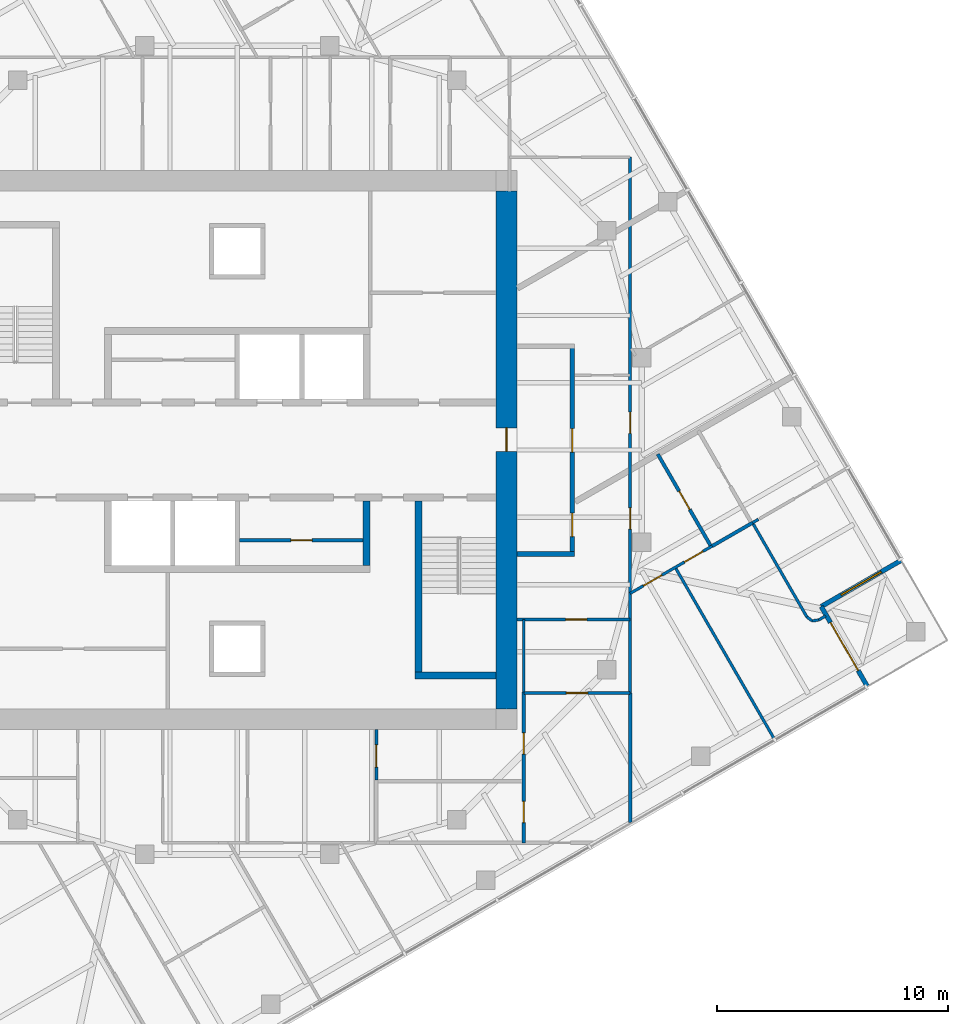
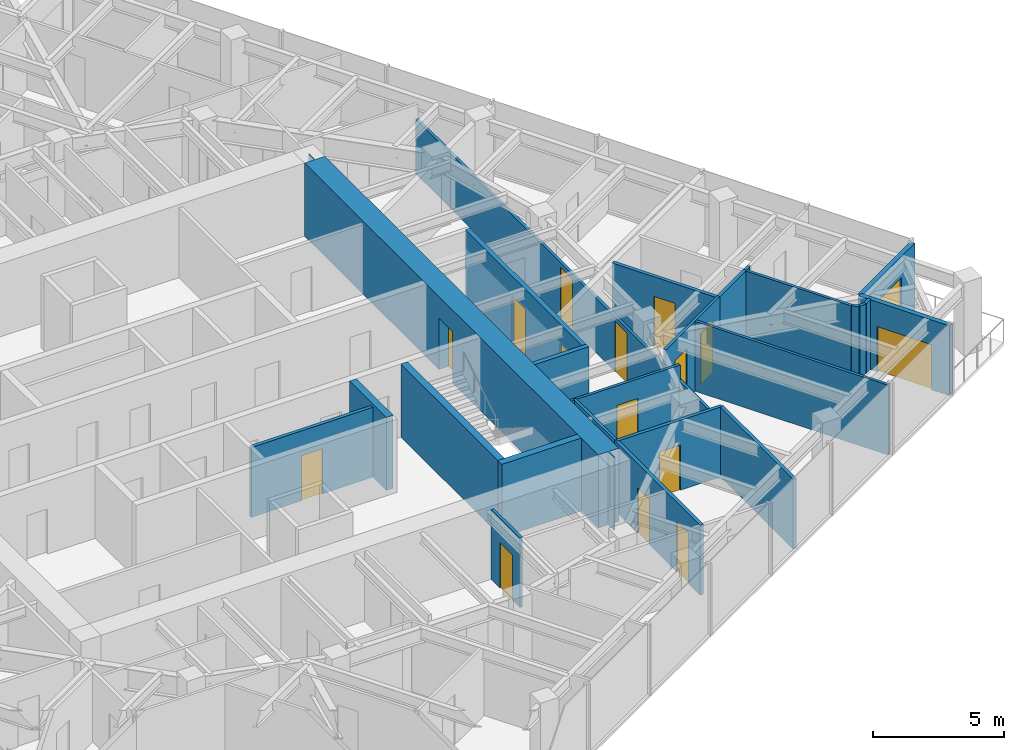
# One storey, part 9 of 13: 25 walls, 15 doors, 1 window, 16 openings.
"""IFC4 building model written with IfcOpenShell, lengths in metres."""

from ifc_helpers import new_model, si_unit, direction, frame, frame_2d, origin, place, context, subcontext, project, spatial, polyline, rectangle, outline, extrude, material, layer, layer_set, type_object, element, fill, save


model = new_model("IFC4")

# Units and contexts
model_context = context("Model", 3, precision=1e-05, world=origin(), true_north=direction((0.0, 1.0)))
body_context = subcontext(model_context, "Body", "Model", "MODEL_VIEW")
ifc_project = project(units=[si_unit("LENGTHUNIT", "METRE"), si_unit("AREAUNIT", "SQUARE_METRE"), si_unit("VOLUMEUNIT", "CUBIC_METRE"), si_unit("PLANEANGLEUNIT", "RADIAN"), si_unit("MASSUNIT", "GRAM", prefix="KILO")], contexts=[model_context])

# Site, building, storey
site_placement = place(None, origin())
site = spatial("IfcSite", under=ifc_project, at=site_placement, CompositionType="ELEMENT")
building_placement = place(site_placement, origin())
building = spatial("IfcBuilding", under=site, at=building_placement, Name="Torsade Residences", CompositionType="ELEMENT")
storey_placement = place(building_placement, frame((0.0, 0.0, 215.0)))
storey = spatial("IfcBuildingStorey", under=building, at=storey_placement, Name="L59", CompositionType="ELEMENT", Elevation=215.0)

# Walls
ifc_material_1 = material(Name="Concrete 80 MPa", Category="concrete")
ifc_layer_1 = layer(ifc_material_1, 0.300048828125)
ifc_layer_set_1 = layer_set([ifc_layer_1], Name="Concrete 80 MPa")
wall_type_1 = type_object("IfcWallType", Name="CORE INTERNAL WALL 300", PredefinedType="SHEAR", material=ifc_layer_set_1)
wall_1_placement = place(storey_placement, frame((45.60009765625, 27.800048828125, 0.0), z_axis=(0.0, 0.0, 1.0), x_axis=(0.0, -1.0, 0.0)))
element("IfcWall", 1, at=wall_1_placement, inside=storey, type_object=wall_type_1, Name="Core wall DS0 L59", PredefinedType="SHEAR", context=body_context, shape_type="SweptSolid", body=[
    extrude(rectangle(XDim=2.800048828125, YDim=0.300048828125, at=frame_2d((1.39990234375, 0.0))), origin(), (0.0, 0.0, 1.0), 3.39990234375),
])
wall_2_placement = place(storey_placement, frame((47.85009765625, 27.800048828125, 0.0), z_axis=(0.0, 0.0, 1.0), x_axis=(0.0, -1.0, 0.0)))
element("IfcWall", 2, at=wall_2_placement, inside=storey, type_object=wall_type_1, Name="Core wall ST2W L59", PredefinedType="SHEAR", context=body_context, shape_type="SweptSolid", body=[
    extrude(rectangle(XDim=7.699951171875, YDim=0.300048828125, at=frame_2d((3.85009765625, 0.0))), origin(), (0.0, 0.0, 1.0), 3.39990234375),
])
wall_3_placement = place(storey_placement, frame((51.199951171875, 20.25, 0.0), z_axis=(0.0, 0.0, 1.0), x_axis=(-1.0, 0.0, 0.0)))
element("IfcWall", 3, at=wall_3_placement, inside=storey, type_object=wall_type_1, Name="Core wall ST2S L59", PredefinedType="SHEAR", context=body_context, shape_type="SweptSolid", body=[
    extrude(rectangle(XDim=3.5, YDim=0.300048828125, at=frame_2d((1.75, 0.0))), origin(), (0.0, 0.0, 1.0), 3.39990234375),
])

# Wall, opening, door
ifc_material_2 = material(Name="Concrete 80 MPa", Category="concrete")
ifc_layer_2 = layer(ifc_material_2, 0.89990234375)
ifc_layer_set_2 = layer_set([ifc_layer_2], Name="Concrete 80 MPa")
wall_type_2 = type_object("IfcWallType", Name="CORE WALL 900", PredefinedType="SHEAR", material=ifc_layer_set_2)
wall_4_placement = place(storey_placement, frame((51.64990234375, 18.800048828125, 0.0), z_axis=(0.0, 0.0, 1.0), x_axis=(0.0, 1.0, 0.0)))
wall_4 = element("IfcWall", 4, at=wall_4_placement, inside=storey, type_object=wall_type_2, Name="Core wall E L59", PredefinedType="SHEAR", context=body_context, shape_type="SweptSolid", body=[
    extrude(outline(polyline([(0.0, -0.449951171875), (22.39990234375, -0.449951171875), (22.39990234375, -0.02490234375), (22.849853515625, -0.02490234375), (22.849853515625, 0.02490234375), (22.39990234375, 0.02490234375), (22.39990234375, 0.449951171875), (0.0, 0.449951171875), (0.0, 0.02490234375), (-0.449951171875, 0.02490234375), (-0.449951171875, -0.02490234375), (0.0, -0.02490234375), (0.0, -0.449951171875)])), origin(), (0.0, 0.0, 1.0), 3.39990234375),
])
opening_1_placement = place(wall_4_placement, frame((11.139892578125, 0.0, 0.0)))
opening_1 = element("IfcOpeningElement", 5, at=opening_1_placement, cuts=wall_4, Name="Opening D04", PredefinedType="OPENING", context=body_context, shape_type="SweptSolid", body=[
    extrude(rectangle(XDim=1.02001953125, YDim=2.39990234375, at=frame_2d((0.510009765625, 1.199951171875))), frame((0.0, 0.4599609375, 0.0), z_axis=(0.0, -1.0, 0.0), x_axis=(1.0, 0.0, 0.0)), (0.0, 0.0, 1.0), 0.919921875),
])
ifc_material_3 = material(Name="Steel-framed fire door", Category="steel")
door_type_1 = type_object("IfcDoorType", Name="LOBBY SMOKE DOOR 1020x2400", OperationType="NOTDEFINED", PredefinedType="DOOR", material=ifc_material_3)
door_1_placement = place(opening_1_placement, origin())
door_1 = element("IfcDoor", 6, at=door_1_placement, inside=storey, type_object=door_type_1, Name="Lift lobby door E L59", OperationType="SINGLE_SWING_LEFT", OverallHeight=2.39990234375, OverallWidth=1.02001953125, PredefinedType="DOOR", context=body_context, shape_type="SweptSolid", body=[
    extrude(rectangle(XDim=1.02001953125, YDim=2.39990234375, at=frame_2d((0.510009765625, 1.199951171875))), frame((0.0, 0.02490234375, 0.0), z_axis=(0.0, -1.0, 0.0), x_axis=(1.0, 0.0, 0.0)), (0.0, 0.0, 1.0), 0.050048828125),
])
fill(opening_1, door_1)

# Wall, openings, doors
ifc_material_4 = material(Name="Plasterboard on steel stud", Category="steel")
ifc_layer_3 = layer(ifc_material_4, 0.199951171875)
ifc_layer_set_3 = layer_set([ifc_layer_3], Name="Plasterboard on steel stud")
wall_type_3 = type_object("IfcWallType", Name="CORRIDOR WALL 200", PredefinedType="PARTITIONING", material=ifc_layer_set_3)
wall_5_placement = place(storey_placement, frame((54.5, 25.5, 0.0), z_axis=(0.0, 0.0, 1.0), x_axis=(0.0, 1.0, 0.0)))
wall_5 = element("IfcWall", 7, at=wall_5_placement, inside=storey, type_object=wall_type_3, Name="Corridor wall L59", PredefinedType="PARTITIONING", context=body_context, shape_type="SweptSolid", body=[
    extrude(rectangle(XDim=9.0, YDim=0.199951171875, at=frame_2d((4.5, 0.0))), origin(), (0.0, 0.0, 1.0), 3.25),
])
opening_2_placement = place(wall_5_placement, frame((4.405517578125, 0.0, 0.0)))
opening_2 = element("IfcOpeningElement", 8, at=opening_2_placement, cuts=wall_5, Name="Opening D01", PredefinedType="OPENING", context=body_context, shape_type="SweptSolid", body=[
    extrude(rectangle(XDim=1.02001953125, YDim=2.340087890625, at=frame_2d((0.510009765625, 1.169921875))), frame((0.0, 0.10986328125, 0.0), z_axis=(0.0, -1.0, 0.0), x_axis=(1.0, 0.0, 0.0)), (0.0, 0.0, 1.0), 0.219970703125),
])
opening_3_placement = place(wall_5_placement, frame((0.750732421875, 0.0, 0.0)))
opening_3 = element("IfcOpeningElement", 9, at=opening_3_placement, cuts=wall_5, Name="Opening D01", PredefinedType="OPENING", context=body_context, shape_type="SweptSolid", body=[
    extrude(rectangle(XDim=1.02001953125, YDim=2.340087890625, at=frame_2d((0.510009765625, 1.169921875))), frame((0.0, 0.10986328125, 0.0), z_axis=(0.0, -1.0, 0.0), x_axis=(1.0, 0.0, 0.0)), (0.0, 0.0, 1.0), 0.219970703125),
])
ifc_material_5 = material(Name="Solid-core timber fire door", Category="wood")
door_type_2 = type_object("IfcDoorType", Name="APARTMENT ENTRY DOOR 1020x2340", OperationType="NOTDEFINED", PredefinedType="DOOR", material=ifc_material_5)
door_2_placement = place(opening_2_placement, origin())
door_2 = element("IfcDoor", 10, at=door_2_placement, inside=storey, type_object=door_type_2, Name="Door Residential corridor to Kitchen and dining", OperationType="SINGLE_SWING_LEFT", OverallHeight=2.340087890625, OverallWidth=1.02001953125, PredefinedType="DOOR", context=body_context, shape_type="SweptSolid", body=[
    extrude(rectangle(XDim=1.02001953125, YDim=2.340087890625, at=frame_2d((0.510009765625, 1.169921875))), frame((0.0, 0.02490234375, 0.0), z_axis=(0.0, -1.0, 0.0), x_axis=(1.0, 0.0, 0.0)), (0.0, 0.0, 1.0), 0.050048828125),
])
fill(opening_2, door_2)
door_3_placement = place(opening_3_placement, origin())
door_3 = element("IfcDoor", 11, at=door_3_placement, inside=storey, type_object=door_type_2, Name="Door Residential corridor to Kitchen and dining", OperationType="SINGLE_SWING_LEFT", OverallHeight=2.340087890625, OverallWidth=1.02001953125, PredefinedType="DOOR", context=body_context, shape_type="SweptSolid", body=[
    extrude(rectangle(XDim=1.02001953125, YDim=2.340087890625, at=frame_2d((0.510009765625, 1.169921875))), frame((0.0, 0.02490234375, 0.0), z_axis=(0.0, -1.0, 0.0), x_axis=(1.0, 0.0, 0.0)), (0.0, 0.0, 1.0), 0.050048828125),
])
fill(opening_3, door_3)

# Wall
wall_6_placement = place(storey_placement, frame((52.10009765625, 25.5, 0.0), z_axis=(0.0, 0.0, 1.0), x_axis=(1.0, 0.0, 0.0)))
element("IfcWall", 12, at=wall_6_placement, inside=storey, type_object=wall_type_3, Name="Corridor wall L59", PredefinedType="PARTITIONING", context=body_context, shape_type="SweptSolid", body=[
    extrude(rectangle(XDim=2.5, YDim=0.199951171875, at=frame_2d((1.25, 0.0))), origin(), (0.0, 0.0, 1.0), 3.25),
])

# Wall, opening, door
ifc_material_6 = material(Name="Plasterboard on steel stud", Category="steel")
ifc_layer_4 = layer(ifc_material_6, 0.1201171875)
ifc_layer_set_4 = layer_set([ifc_layer_4], Name="Plasterboard on steel stud")
wall_type_4 = type_object("IfcWallType", Name="PARTITION 120", PredefinedType="PARTITIONING", material=ifc_layer_set_4)
wall_7_placement = place(storey_placement, frame((57.0, 22.66650390625, 0.0), z_axis=(0.0, 0.0, 1.0), x_axis=(-1.0, 0.0, 0.0)))
wall_7 = element("IfcWall", 13, at=wall_7_placement, inside=storey, type_object=wall_type_4, Name="Partition L59", PredefinedType="PARTITIONING", context=body_context, shape_type="SweptSolid", body=[
    extrude(rectangle(XDim=4.89990234375, YDim=0.1201171875, at=frame_2d((2.449951171875, 0.0))), origin(), (0.0, 0.0, 1.0), 3.25),
])
opening_4_placement = place(wall_7_placement, frame((1.865966796875, 0.0, 0.0)))
opening_4 = element("IfcOpeningElement", 14, at=opening_4_placement, cuts=wall_7, Name="Opening D02", PredefinedType="OPENING", context=body_context, shape_type="SweptSolid", body=[
    extrude(rectangle(XDim=0.919921875, YDim=2.340087890625, at=frame_2d((0.4599609375, 1.169921875))), frame((0.0, 0.070068359375, 0.0), z_axis=(0.0, -1.0, 0.0), x_axis=(1.0, 0.0, 0.0)), (0.0, 0.0, 1.0), 0.14013671875),
])
ifc_material_7 = material(Name="Hollow-core timber door", Category="wood")
door_type_3 = type_object("IfcDoorType", Name="INTERNAL DOOR 920x2340", OperationType="NOTDEFINED", PredefinedType="DOOR", material=ifc_material_7)
door_4_placement = place(opening_4_placement, origin())
door_4 = element("IfcDoor", 15, at=door_4_placement, inside=storey, type_object=door_type_3, Name="Door Kitchen and dining to Walk-in robe", OperationType="SINGLE_SWING_RIGHT", OverallHeight=2.340087890625, OverallWidth=0.919921875, PredefinedType="DOOR", context=body_context, shape_type="SweptSolid", body=[
    extrude(rectangle(XDim=0.919921875, YDim=2.340087890625, at=frame_2d((0.4599609375, 1.169921875))), frame((0.0, 0.02490234375, 0.0), z_axis=(0.0, -1.0, 0.0), x_axis=(1.0, 0.0, 0.0)), (0.0, 0.0, 1.0), 0.050048828125),
])
fill(opening_4, door_4)

# Wall, openings, doors
wall_8_placement = place(storey_placement, frame((57.0, 42.67578125, 0.0), z_axis=(0.0, 0.0, 1.0), x_axis=(0.0, -1.0, 0.0)))
wall_8 = element("IfcWall", 16, at=wall_8_placement, inside=storey, type_object=wall_type_4, Name="Partition L59", PredefinedType="PARTITIONING", context=body_context, shape_type="SweptSolid", body=[
    extrude(rectangle(XDim=23.189697265625, YDim=0.1201171875, at=frame_2d((11.5947265625, 0.0))), origin(), (0.0, 0.0, 1.0), 2.550048828125),
])
opening_5_placement = place(wall_8_placement, frame((11.0302734375, 0.0, 0.0)))
opening_5 = element("IfcOpeningElement", 17, at=opening_5_placement, cuts=wall_8, Name="Opening D02", PredefinedType="OPENING", context=body_context, shape_type="SweptSolid", body=[
    extrude(rectangle(XDim=0.919921875, YDim=2.340087890625, at=frame_2d((0.4599609375, 1.169921875))), frame((0.0, 0.070068359375, 0.0), z_axis=(0.0, -1.0, 0.0), x_axis=(1.0, 0.0, 0.0)), (0.0, 0.0, 1.0), 0.14013671875),
])
opening_6_placement = place(wall_8_placement, frame((15.180908203125, 0.0, 0.0)))
opening_6 = element("IfcOpeningElement", 18, at=opening_6_placement, cuts=wall_8, Name="Opening D02", PredefinedType="OPENING", context=body_context, shape_type="SweptSolid", body=[
    extrude(rectangle(XDim=0.919921875, YDim=2.340087890625, at=frame_2d((0.4599609375, 1.169921875))), frame((0.0, 0.070068359375, 0.0), z_axis=(0.0, -1.0, 0.0), x_axis=(1.0, 0.0, 0.0)), (0.0, 0.0, 1.0), 0.14013671875),
])
door_5_placement = place(opening_5_placement, origin())
door_5 = element("IfcDoor", 19, at=door_5_placement, inside=storey, type_object=door_type_3, Name="Door Kitchen and dining to Living room", OperationType="SINGLE_SWING_RIGHT", OverallHeight=2.340087890625, OverallWidth=0.919921875, PredefinedType="DOOR", context=body_context, shape_type="SweptSolid", body=[
    extrude(rectangle(XDim=0.919921875, YDim=2.340087890625, at=frame_2d((0.4599609375, 1.169921875))), frame((0.0, 0.02490234375, 0.0), z_axis=(0.0, -1.0, 0.0), x_axis=(1.0, 0.0, 0.0)), (0.0, 0.0, 1.0), 0.050048828125),
])
fill(opening_5, door_5)
door_6_placement = place(opening_6_placement, origin())
door_6 = element("IfcDoor", 20, at=door_6_placement, inside=storey, type_object=door_type_3, Name="Door Kitchen and dining to Walk-in robe 3", OperationType="SINGLE_SWING_RIGHT", OverallHeight=2.340087890625, OverallWidth=0.919921875, PredefinedType="DOOR", context=body_context, shape_type="SweptSolid", body=[
    extrude(rectangle(XDim=0.919921875, YDim=2.340087890625, at=frame_2d((0.4599609375, 1.169921875))), frame((0.0, 0.02490234375, 0.0), z_axis=(0.0, -1.0, 0.0), x_axis=(1.0, 0.0, 0.0)), (0.0, 0.0, 1.0), 0.050048828125),
])
fill(opening_6, door_6)

# Wall, opening, door
wall_9_placement = place(storey_placement, frame((46.0205078125, 17.89990234375, 0.0), z_axis=(0.0, 0.0, 1.0), x_axis=(0.0, -1.0, 0.0)))
wall_9 = element("IfcWall", 21, at=wall_9_placement, inside=storey, type_object=wall_type_4, Name="Partition L59", PredefinedType="PARTITIONING", context=body_context, shape_type="SweptSolid", body=[
    extrude(rectangle(XDim=2.189697265625, YDim=0.1201171875, at=frame_2d((1.0947265625, 0.0))), origin(), (0.0, 0.0, 1.0), 3.25),
])
opening_7_placement = place(wall_9_placement, frame((0.664794921875, 0.0, 0.0)))
opening_7 = element("IfcOpeningElement", 22, at=opening_7_placement, cuts=wall_9, Name="Opening D05", PredefinedType="OPENING", context=body_context, shape_type="SweptSolid", body=[
    extrude(rectangle(XDim=0.9599609375, YDim=2.10009765625, at=frame_2d((0.47998046875, 1.050048828125))), frame((0.0, 0.070068359375, 0.0), z_axis=(0.0, -1.0, 0.0), x_axis=(1.0, 0.0, 0.0)), (0.0, 0.0, 1.0), 0.14013671875),
])
ifc_material_8 = material(Name="Hollow-core timber door in a steel cavity frame", Category="steel")
door_type_4 = type_object("IfcDoorType", Name="BATHROOM CAVITY SLIDING DOOR 960", OperationType="SLIDING_TO_LEFT", PredefinedType="DOOR", material=ifc_material_8)
door_7_placement = place(opening_7_placement, origin())
door_7 = element("IfcDoor", 23, at=door_7_placement, inside=storey, type_object=door_type_4, Name="Door Study to Laundry", OperationType="SLIDING_TO_LEFT", OverallHeight=2.10009765625, OverallWidth=0.9599609375, PredefinedType="DOOR", context=body_context, shape_type="SweptSolid", body=[
    extrude(rectangle(XDim=0.9599609375, YDim=2.10009765625, at=frame_2d((0.47998046875, 1.050048828125))), frame((0.0, 0.02490234375, 0.0), z_axis=(0.0, -1.0, 0.0), x_axis=(1.0, 0.0, 0.0)), (0.0, 0.0, 1.0), 0.050048828125),
])
fill(opening_7, door_7)

# Walls
wall_10_placement = place(storey_placement, frame((52.398193359375, 22.66650390625, 0.0), z_axis=(0.0, 0.0, 1.0), x_axis=(0.0, -1.0, 0.0)))
element("IfcWall", 24, at=wall_10_placement, inside=storey, type_object=wall_type_4, Name="Partition L59", PredefinedType="PARTITIONING", context=body_context, shape_type="SweptSolid", body=[
    extrude(rectangle(XDim=3.130615234375, YDim=0.1201171875, at=frame_2d((1.5654296875, 0.0))), origin(), (0.0, 0.0, 1.0), 3.25),
])
wall_11_placement = place(storey_placement, frame((63.24609375, 17.486572265625, 0.0), z_axis=(0.0, 0.0, 1.0), x_axis=(-0.49999898161, 0.866025991751, 0.0)))
element("IfcWall", 25, at=wall_11_placement, inside=storey, type_object=wall_type_4, Name="Partition L59", PredefinedType="PARTITIONING", context=body_context, shape_type="SweptSolid", body=[
    extrude(rectangle(XDim=8.5849609375, YDim=0.1201171875, at=frame_2d((4.29248046875, 0.0))), origin(), (0.0, 0.0, 1.0), 3.25),
])

# Wall, openings, doors
wall_12_placement = place(storey_placement, frame((57.0, 23.79345703125, 0.0), z_axis=(0.0, 0.0, 1.0), x_axis=(0.866007146345, 0.50003162148, 0.0)))
wall_12 = element("IfcWall", 26, at=wall_12_placement, inside=storey, type_object=wall_type_4, Name="Partition L59", PredefinedType="PARTITIONING", context=body_context, shape_type="SweptSolid", body=[
    extrude(rectangle(XDim=4.101318359375, YDim=0.1201171875, at=frame_2d((2.05078125, 0.0))), origin(), (0.0, 0.0, 1.0), 3.25),
])
opening_8_placement = place(wall_12_placement, frame((0.66796875, 0.0, 0.0)))
opening_8 = element("IfcOpeningElement", 27, at=opening_8_placement, cuts=wall_12, Name="Opening D02", PredefinedType="OPENING", context=body_context, shape_type="SweptSolid", body=[
    extrude(rectangle(XDim=0.919921875, YDim=2.340087890625, at=frame_2d((0.4599609375, 1.169921875))), frame((0.0, 0.070068359375, 0.0), z_axis=(0.0, -1.0, 0.0), x_axis=(1.0, 0.0, 0.0)), (0.0, 0.0, 1.0), 0.14013671875),
])
opening_9_placement = place(wall_12_placement, frame((2.718505859375, 0.0, 0.0)))
opening_9 = element("IfcOpeningElement", 28, at=opening_9_placement, cuts=wall_12, Name="Opening D02", PredefinedType="OPENING", context=body_context, shape_type="SweptSolid", body=[
    extrude(rectangle(XDim=0.919921875, YDim=2.340087890625, at=frame_2d((0.4599609375, 1.169921875))), frame((0.0, 0.070068359375, 0.0), z_axis=(0.0, -1.0, 0.0), x_axis=(1.0, 0.0, 0.0)), (0.0, 0.0, 1.0), 0.14013671875),
])
door_8_placement = place(opening_8_placement, origin())
door_8 = element("IfcDoor", 29, at=door_8_placement, inside=storey, type_object=door_type_3, Name="Door Walk-in robe 3 to Bedroom 2", OperationType="SINGLE_SWING_LEFT", OverallHeight=2.340087890625, OverallWidth=0.919921875, PredefinedType="DOOR", context=body_context, shape_type="SweptSolid", body=[
    extrude(rectangle(XDim=0.919921875, YDim=2.340087890625, at=frame_2d((0.4599609375, 1.169921875))), frame((0.0, 0.02490234375, 0.0), z_axis=(0.0, -1.0, 0.0), x_axis=(1.0, 0.0, 0.0)), (0.0, 0.0, 1.0), 0.050048828125),
])
fill(opening_8, door_8)
door_9_placement = place(opening_9_placement, origin())
door_9 = element("IfcDoor", 30, at=door_9_placement, inside=storey, type_object=door_type_3, Name="Door Walk-in robe 3 to Bedroom 1", OperationType="SINGLE_SWING_RIGHT", OverallHeight=2.340087890625, OverallWidth=0.919921875, PredefinedType="DOOR", context=body_context, shape_type="SweptSolid", body=[
    extrude(rectangle(XDim=0.919921875, YDim=2.340087890625, at=frame_2d((0.4599609375, 1.169921875))), frame((0.0, 0.02490234375, 0.0), z_axis=(0.0, -1.0, 0.0), x_axis=(1.0, 0.0, 0.0)), (0.0, 0.0, 1.0), 0.050048828125),
])
fill(opening_9, door_9)

# Walls
wall_13_placement = place(storey_placement, frame((62.298583984375, 26.8525390625, 0.0), z_axis=(0.0, 0.0, 1.0), x_axis=(0.500006955494, -0.866021387991, 0.0)))
element("IfcWall", 31, at=wall_13_placement, inside=storey, type_object=wall_type_4, Name="Partition L59", PredefinedType="PARTITIONING", context=body_context, shape_type="SweptSolid", body=[
    extrude(rectangle(XDim=4.70458984375, YDim=0.1201171875, at=frame_2d((2.352294921875, 0.0))), origin(), (0.0, 0.0, 1.0), 3.25),
])
wall_14_placement = place(storey_placement, frame((64.65087890625, 22.7783203125, 0.0), z_axis=(0.0, 0.0, 1.0), x_axis=(0.793231928283, -0.608919623557, 0.0)))
element("IfcWall", 32, at=wall_14_placement, inside=storey, type_object=wall_type_4, Name="Partition L59", PredefinedType="PARTITIONING", context=body_context, shape_type="SweptSolid", body=[
    extrude(rectangle(XDim=0.283447265625, YDim=0.1201171875, at=frame_2d((0.1416015625, 0.0))), origin(), (0.0, 0.0, 1.0), 3.25),
])
wall_15_placement = place(storey_placement, frame((64.875732421875, 22.605712890625, 0.0), z_axis=(0.0, 0.0, 1.0), x_axis=(0.991407364485, 0.130810693925, 0.0)))
element("IfcWall", 33, at=wall_15_placement, inside=storey, type_object=wall_type_4, Name="Partition L59", PredefinedType="PARTITIONING", context=body_context, shape_type="SweptSolid", body=[
    extrude(rectangle(XDim=0.28369140625, YDim=0.1201171875, at=frame_2d((0.141845703125, 0.0))), origin(), (0.0, 0.0, 1.0), 3.25),
])
wall_16_placement = place(storey_placement, frame((65.156982421875, 22.642822265625, 0.0), z_axis=(0.0, 0.0, 1.0), x_axis=(0.866058575552, 0.499942540411, 0.0)))
element("IfcWall", 34, at=wall_16_placement, inside=storey, type_object=wall_type_4, Name="Partition L59", PredefinedType="PARTITIONING", context=body_context, shape_type="SweptSolid", body=[
    extrude(rectangle(XDim=0.35205078125, YDim=0.1201171875, at=frame_2d((0.176025390625, 0.0))), origin(), (0.0, 0.0, 1.0), 3.25),
])
wall_17_placement = place(storey_placement, frame((62.5546875, 27.00048828125, 0.0), z_axis=(0.0, 0.0, 1.0), x_axis=(-0.865896854829, -0.500222587251, 0.0)))
element("IfcWall", 35, at=wall_17_placement, inside=storey, type_object=wall_type_4, Name="Partition L59", PredefinedType="PARTITIONING", context=body_context, shape_type="SweptSolid", body=[
    extrude(rectangle(XDim=0.295654296875, YDim=0.1201171875, at=frame_2d((0.14794921875, 0.0))), origin(), (0.0, 0.0, 1.0), 3.25),
])

# Wall, openings, doors
ifc_material_9 = material(Name="Reinforced blockwork", Category="masonry")
ifc_layer_5 = layer(ifc_material_9, 0.14990234375)
ifc_layer_set_5 = layer_set([ifc_layer_5], Name="Reinforced blockwork")
wall_type_5 = type_object("IfcWallType", Name="SERVICE ROOM WALL 150", PredefinedType="SOLIDWALL", material=ifc_layer_set_5)
wall_18_placement = place(storey_placement, frame((52.398193359375, 19.535888671875, 0.0), z_axis=(0.0, 0.0, 1.0), x_axis=(0.0, -1.0, 0.0)))
wall_18 = element("IfcWall", 36, at=wall_18_placement, inside=storey, type_object=wall_type_5, Name="Service room wall L59", PredefinedType="SOLIDWALL", context=body_context, shape_type="SweptSolid", body=[
    extrude(rectangle(XDim=6.535888671875, YDim=0.14990234375, at=frame_2d((3.26806640625, 0.0))), origin(), (0.0, 0.0, 1.0), 3.25),
])
opening_10_placement = place(wall_18_placement, frame((1.77783203125, 0.0, 0.0)))
opening_10 = element("IfcOpeningElement", 37, at=opening_10_placement, cuts=wall_18, Name="Opening D02L", PredefinedType="OPENING", context=body_context, shape_type="SweptSolid", body=[
    extrude(rectangle(XDim=0.919921875, YDim=2.10009765625, at=frame_2d((0.4599609375, 1.050048828125))), frame((0.0, 0.0849609375, 0.0), z_axis=(0.0, -1.0, 0.0), x_axis=(1.0, 0.0, 0.0)), (0.0, 0.0, 1.0), 0.169921875),
])
opening_11_placement = place(wall_18_placement, frame((4.745849609375, 0.0, 0.0)))
opening_11 = element("IfcOpeningElement", 38, at=opening_11_placement, cuts=wall_18, Name="Opening D02", PredefinedType="OPENING", context=body_context, shape_type="SweptSolid", body=[
    extrude(rectangle(XDim=0.919921875, YDim=2.340087890625, at=frame_2d((0.4599609375, 1.169921875))), frame((0.0, 0.0849609375, 0.0), z_axis=(0.0, -1.0, 0.0), x_axis=(1.0, 0.0, 0.0)), (0.0, 0.0, 1.0), 0.169921875),
])
ifc_material_10 = material(Name="Hollow-core timber door", Category="wood")
door_type_5 = type_object("IfcDoorType", Name="INTERNAL DOOR 920x2100", OperationType="NOTDEFINED", PredefinedType="DOOR", material=ifc_material_10)
door_10_placement = place(opening_10_placement, origin())
door_10 = element("IfcDoor", 39, at=door_10_placement, inside=storey, type_object=door_type_5, Name="Door Linen store 4 to Study", OperationType="SINGLE_SWING_LEFT", OverallHeight=2.10009765625, OverallWidth=0.919921875, PredefinedType="DOOR", context=body_context, shape_type="SweptSolid", body=[
    extrude(rectangle(XDim=0.919921875, YDim=2.10009765625, at=frame_2d((0.4599609375, 1.050048828125))), frame((0.0, 0.02490234375, 0.0), z_axis=(0.0, -1.0, 0.0), x_axis=(1.0, 0.0, 0.0)), (0.0, 0.0, 1.0), 0.050048828125),
])
fill(opening_10, door_10)
door_11_placement = place(opening_11_placement, origin())
door_11 = element("IfcDoor", 40, at=door_11_placement, inside=storey, type_object=door_type_3, Name="Door Linen store 4 to Linen store 2", OperationType="SINGLE_SWING_RIGHT", OverallHeight=2.340087890625, OverallWidth=0.919921875, PredefinedType="DOOR", context=body_context, shape_type="SweptSolid", body=[
    extrude(rectangle(XDim=0.919921875, YDim=2.340087890625, at=frame_2d((0.4599609375, 1.169921875))), frame((0.0, 0.02490234375, 0.0), z_axis=(0.0, -1.0, 0.0), x_axis=(1.0, 0.0, 0.0)), (0.0, 0.0, 1.0), 0.050048828125),
])
fill(opening_11, door_11)

# Wall, opening, door
wall_19_placement = place(storey_placement, frame((57.0, 19.486083984375, 0.0), z_axis=(0.0, 0.0, 1.0), x_axis=(-1.0, 0.0, 0.0)))
wall_19 = element("IfcWall", 41, at=wall_19_placement, inside=storey, type_object=wall_type_5, Name="Service room wall L59", PredefinedType="SOLIDWALL", context=body_context, shape_type="SweptSolid", body=[
    extrude(rectangle(XDim=4.601806640625, YDim=0.14990234375, at=frame_2d((2.30078125, 0.0))), origin(), (0.0, 0.0, 1.0), 3.25),
])
opening_12_placement = place(wall_19_placement, frame((1.8408203125, 0.0, 0.0)))
opening_12 = element("IfcOpeningElement", 42, at=opening_12_placement, cuts=wall_19, Name="Opening D02L", PredefinedType="OPENING", context=body_context, shape_type="SweptSolid", body=[
    extrude(rectangle(XDim=0.919921875, YDim=2.10009765625, at=frame_2d((0.4599609375, 1.050048828125))), frame((0.0, 0.0849609375, 0.0), z_axis=(0.0, -1.0, 0.0), x_axis=(1.0, 0.0, 0.0)), (0.0, 0.0, 1.0), 0.169921875),
])
door_12_placement = place(opening_12_placement, origin())
door_12 = element("IfcDoor", 43, at=door_12_placement, inside=storey, type_object=door_type_5, Name="Door Walk-in robe to Linen store 4", OperationType="SINGLE_SWING_RIGHT", OverallHeight=2.10009765625, OverallWidth=0.919921875, PredefinedType="DOOR", context=body_context, shape_type="SweptSolid", body=[
    extrude(rectangle(XDim=0.919921875, YDim=2.10009765625, at=frame_2d((0.4599609375, 1.050048828125))), frame((0.0, 0.02490234375, 0.0), z_axis=(0.0, -1.0, 0.0), x_axis=(1.0, 0.0, 0.0)), (0.0, 0.0, 1.0), 0.050048828125),
])
fill(opening_12, door_12)

# Walls
wall_20_placement = place(storey_placement, frame((60.5517578125, 25.84423828125, 0.0), z_axis=(0.0, 0.0, 1.0), x_axis=(0.866074730264, 0.499914554297, 0.0)))
element("IfcWall", 44, at=wall_20_placement, inside=storey, type_object=wall_type_5, Name="Service room wall L59", PredefinedType="SOLIDWALL", context=body_context, shape_type="SweptSolid", body=[
    extrude(rectangle(XDim=2.016845703125, YDim=0.14990234375, at=frame_2d((1.00830078125, 0.0))), origin(), (0.0, 0.0, 1.0), 3.25),
])
wall_21_placement = place(storey_placement, frame((56.99951171875, 13.880126953125, 0.0), z_axis=(0.0, 0.0, 1.0), x_axis=(4.3550213e-05, 0.999999999052, 0.0)))
element("IfcWall", 45, at=wall_21_placement, inside=storey, type_object=wall_type_5, Name="Service room wall L59", PredefinedType="SOLIDWALL", context=body_context, shape_type="SweptSolid", body=[
    extrude(rectangle(XDim=5.60595703125, YDim=0.14990234375, at=frame_2d((2.802978515625, 0.0))), origin(), (0.0, 0.0, 1.0), 3.25),
])

# Wall, opening, door
wall_22_placement = place(storey_placement, frame((58.196044921875, 29.824462890625, 0.0), z_axis=(0.0, 0.0, 1.0), x_axis=(0.499999662836, -0.866025598446, 0.0)))
wall_22 = element("IfcWall", 46, at=wall_22_placement, inside=storey, type_object=wall_type_5, Name="Service room wall L59", PredefinedType="SOLIDWALL", context=body_context, shape_type="SweptSolid", body=[
    extrude(rectangle(XDim=4.625, YDim=0.14990234375, at=frame_2d((2.3125, 0.0))), origin(), (0.0, 0.0, 1.0), 3.25),
])
opening_13_placement = place(wall_22_placement, frame((1.8525390625, 0.0, 0.0)))
opening_13 = element("IfcOpeningElement", 47, at=opening_13_placement, cuts=wall_22, Name="Opening D02", PredefinedType="OPENING", context=body_context, shape_type="SweptSolid", body=[
    extrude(rectangle(XDim=0.919921875, YDim=2.340087890625, at=frame_2d((0.4599609375, 1.169921875))), frame((0.0, 0.0849609375, 0.0), z_axis=(0.0, -1.0, 0.0), x_axis=(1.0, 0.0, 0.0)), (0.0, 0.0, 1.0), 0.169921875),
])
door_13_placement = place(opening_13_placement, origin())
door_13 = element("IfcDoor", 48, at=door_13_placement, inside=storey, type_object=door_type_3, Name="Door Walk-in robe 3 to Linen store 3", OperationType="SINGLE_SWING_LEFT", OverallHeight=2.340087890625, OverallWidth=0.919921875, PredefinedType="DOOR", context=body_context, shape_type="SweptSolid", body=[
    extrude(rectangle(XDim=0.919921875, YDim=2.340087890625, at=frame_2d((0.4599609375, 1.169921875))), frame((0.0, 0.02490234375, 0.0), z_axis=(0.0, -1.0, 0.0), x_axis=(1.0, 0.0, 0.0)), (0.0, 0.0, 1.0), 0.050048828125),
])
fill(opening_13, door_13)

wall_23_placement = place(storey_placement, frame((40.10009765625, 26.10009765625, 0.0), z_axis=(0.0, 0.0, 1.0), x_axis=(1.0, 0.0, 0.0)))
wall_23 = element("IfcWall", 49, at=wall_23_placement, inside=storey, type_object=wall_type_5, Name="Service room wall L59", PredefinedType="SOLIDWALL", context=body_context, shape_type="SweptSolid", body=[
    extrude(rectangle(XDim=5.349853515625, YDim=0.14990234375, at=frame_2d((2.6748046875, 0.0))), origin(), (0.0, 0.0, 1.0), 3.25),
])
opening_14_placement = place(wall_23_placement, frame((2.215087890625, 0.0, 0.0)))
opening_14 = element("IfcOpeningElement", 50, at=opening_14_placement, cuts=wall_23, Name="Opening D06", PredefinedType="OPENING", context=body_context, shape_type="SweptSolid", body=[
    extrude(rectangle(XDim=0.919921875, YDim=2.10009765625, at=frame_2d((0.4599609375, 1.050048828125))), frame((0.0, 0.0849609375, 0.0), z_axis=(0.0, -1.0, 0.0), x_axis=(1.0, 0.0, 0.0)), (0.0, 0.0, 1.0), 0.169921875),
])
ifc_material_11 = material(Name="Steel-framed fire door", Category="steel")
door_type_6 = type_object("IfcDoorType", Name="FIRE DOOR 920", OperationType="NOTDEFINED", PredefinedType="DOOR", material=ifc_material_11)
door_14_placement = place(opening_14_placement, origin())
door_14 = element("IfcDoor", 51, at=door_14_placement, inside=storey, type_object=door_type_6, Name="Door Cleaners store L59C to Equipment store L59D", OperationType="SINGLE_SWING_LEFT", OverallHeight=2.10009765625, OverallWidth=0.919921875, PredefinedType="DOOR", context=body_context, shape_type="SweptSolid", body=[
    extrude(rectangle(XDim=0.919921875, YDim=2.10009765625, at=frame_2d((0.4599609375, 1.050048828125))), frame((0.0, 0.02490234375, 0.0), z_axis=(0.0, -1.0, 0.0), x_axis=(1.0, 0.0, 0.0)), (0.0, 0.0, 1.0), 0.050048828125),
])
fill(opening_14, door_14)

ifc_material_12 = material(Name="Stone-faced precast concrete 40 MPa panel", Category="masonry")
ifc_layer_6 = layer(ifc_material_12, 0.199951171875)
ifc_layer_set_6 = layer_set([ifc_layer_6], Name="Stone-faced precast concrete 40 MPa panel")
wall_type_6 = type_object("IfcWallType", Name="TERRACE WALL 200", PredefinedType="SOLIDWALL", material=ifc_layer_set_6)
wall_24_placement = place(storey_placement, frame((67.271484375, 19.764404296875, 0.0), z_axis=(0.0, 0.0, 1.0), x_axis=(-0.49999894854, 0.866026010844, 0.0)))
wall_24 = element("IfcWall", 52, at=wall_24_placement, inside=storey, type_object=wall_type_6, Name="Terrace wall L59 2", PredefinedType="SOLIDWALL", context=body_context, shape_type="SweptSolid", body=[
    extrude(rectangle(XDim=4.0, YDim=0.199951171875, at=frame_2d((2.0, 0.0))), origin(), (0.0, 0.0, 1.0), 3.25),
])
opening_15_placement = place(wall_24_placement, frame((0.800048828125, 0.0, 0.0)))
opening_15 = element("IfcOpeningElement", 53, at=opening_15_placement, cuts=wall_24, Name="Opening D10A", PredefinedType="OPENING", context=body_context, shape_type="SweptSolid", body=[
    extrude(rectangle(XDim=2.39990234375, YDim=2.10009765625, at=frame_2d((1.199951171875, 1.050048828125))), frame((0.0, 0.10986328125, 0.0), z_axis=(0.0, -1.0, 0.0), x_axis=(1.0, 0.0, 0.0)), (0.0, 0.0, 1.0), 0.219970703125),
])
ifc_material_13 = material(Name="Aluminium-framed glass door", Category="aluminium")
door_type_7 = type_object("IfcDoorType", Name="TERRACE SLIDING DOOR 2400x2100", OperationType="SLIDING_TO_LEFT", PredefinedType="DOOR", material=ifc_material_13)
door_15_placement = place(opening_15_placement, origin())
door_15 = element("IfcDoor", 54, at=door_15_placement, inside=storey, type_object=door_type_7, Name="Terrace door L59 2", OperationType="SLIDING_TO_LEFT", OverallHeight=2.10009765625, OverallWidth=2.39990234375, PredefinedType="DOOR", context=body_context, shape_type="SweptSolid", body=[
    extrude(rectangle(XDim=2.39990234375, YDim=2.10009765625, at=frame_2d((1.199951171875, 1.050048828125))), frame((0.0, 0.02490234375, 0.0), z_axis=(0.0, -1.0, 0.0), x_axis=(1.0, 0.0, 0.0)), (0.0, 0.0, 1.0), 0.050048828125),
])
fill(opening_15, door_15)

# Wall, opening, window
wall_25_placement = place(storey_placement, frame((65.271484375, 23.228515625, 0.0), z_axis=(0.0, 0.0, 1.0), x_axis=(0.866026010844, 0.49999894854, 0.0)))
wall_25 = element("IfcWall", 55, at=wall_25_placement, inside=storey, type_object=wall_type_6, Name="Terrace wall L59 3", PredefinedType="SOLIDWALL", context=body_context, shape_type="SweptSolid", body=[
    extrude(rectangle(XDim=4.0, YDim=0.199951171875, at=frame_2d((2.0, 0.0))), origin(), (0.0, 0.0, 1.0), 3.25),
])
opening_16_placement = place(wall_25_placement, frame((1.0, 0.0, 0.449951171875)))
opening_16 = element("IfcOpeningElement", 56, at=opening_16_placement, cuts=wall_25, Name="Opening W1B", PredefinedType="OPENING", context=body_context, shape_type="SweptSolid", body=[
    extrude(rectangle(XDim=2.0, YDim=1.800048828125, at=frame_2d((1.0, 0.89990234375))), frame((0.0, 0.10986328125, 0.0), z_axis=(0.0, -1.0, 0.0), x_axis=(1.0, 0.0, 0.0)), (0.0, 0.0, 1.0), 0.219970703125),
])
ifc_material_14 = material(Name="Aluminium-framed glass window", Category="aluminium")
window_type = type_object("IfcWindowType", Name="TERRACE WINDOW 2000x1800", PartitioningType="SINGLE_PANEL", PredefinedType="WINDOW", material=ifc_material_14)
window_placement = place(opening_16_placement, origin())
window = element("IfcWindow", 57, at=window_placement, inside=storey, type_object=window_type, Name="Terrace window L59 3", OverallHeight=1.800048828125, OverallWidth=2.0, PartitioningType="SINGLE_PANEL", PredefinedType="WINDOW", context=body_context, shape_type="SweptSolid", body=[
    extrude(rectangle(XDim=2.0, YDim=1.800048828125, at=frame_2d((1.0, 0.89990234375))), frame((0.0, 0.030029296875, 0.0), z_axis=(0.0, -1.0, 0.0), x_axis=(1.0, 0.0, 0.0)), (0.0, 0.0, 1.0), 0.06005859375),
])
fill(opening_16, window)

save(model, "model.ifc")
